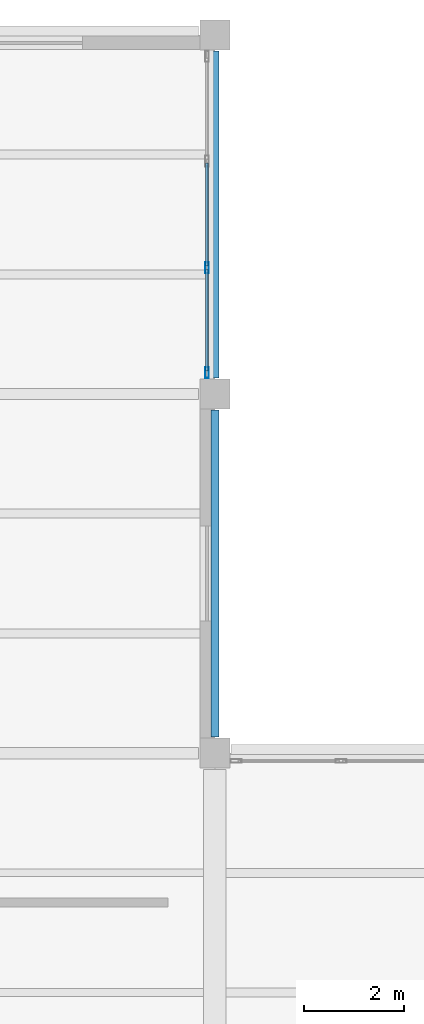
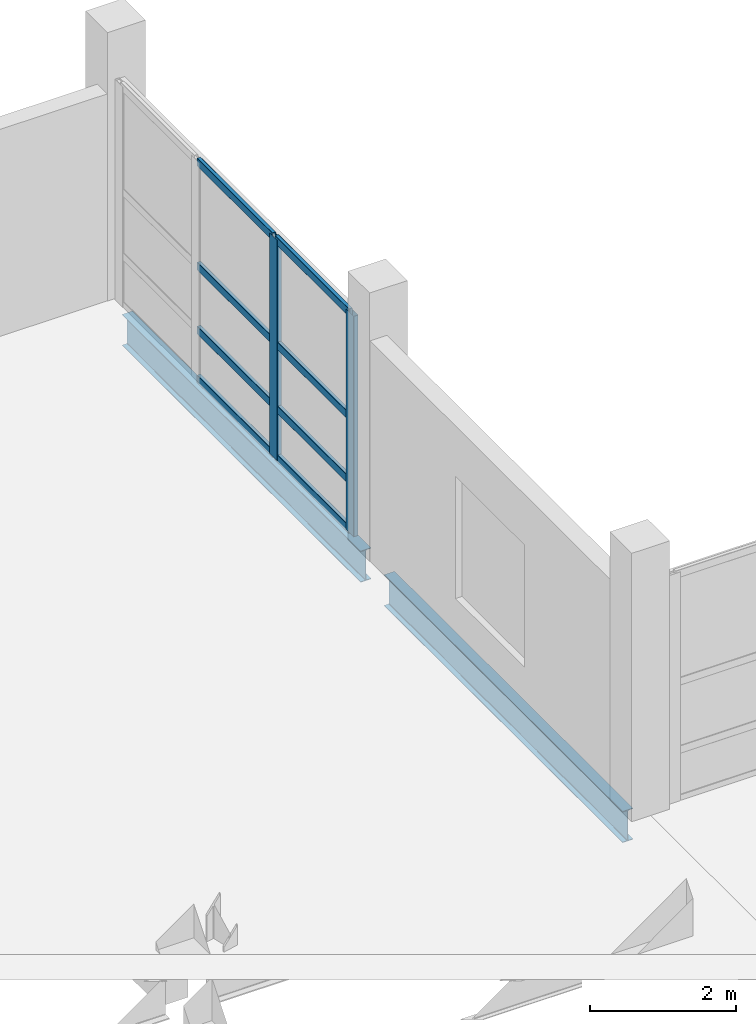
# One storey, part 70 of 123: 10 members, 2 beams, 1 element without a shape of its own.
"""IFC4 building model written with IfcOpenShell, lengths in metres."""

from ifc_helpers import new_model, si_unit, direction, frame, origin, origin_2d, place, context, subcontext, project, spatial, hollow_rectangle, i_section, extrude, material, material_profile, profile_set, type_object, element, aggregate, save


model = new_model("IFC4")

# Units and contexts
model_context = context("Model", 3, precision=1e-05, world=origin(), true_north=direction((0.0, 1.0)))
body_context = subcontext(model_context, "Body", "Model", "MODEL_VIEW")
ifc_project = project(units=[si_unit("LENGTHUNIT", "METRE"), si_unit("AREAUNIT", "SQUARE_METRE"), si_unit("VOLUMEUNIT", "CUBIC_METRE"), si_unit("PLANEANGLEUNIT", "RADIAN"), si_unit("MASSUNIT", "GRAM", prefix="KILO")], contexts=[model_context])

# Site, building, storey
site_placement = place(None, origin())
site = spatial("IfcSite", under=ifc_project, at=site_placement, CompositionType="ELEMENT")
building_placement = place(site_placement, origin())
building = spatial("IfcBuilding", under=site, at=building_placement, Name="Kalmorath City Hall", CompositionType="ELEMENT")
storey_placement = place(building_placement, frame((0.0, 0.0, 10.199951171875)))
storey = spatial("IfcBuildingStorey", under=building, at=storey_placement, Name="L02", CompositionType="ELEMENT", Elevation=10.199951171875)

# Curtain wall, members
ifc_material_1 = material(Name="Anodised aluminium and laminated glass", Category="aluminium")
curtain_wall_type = type_object("IfcCurtainWallType", Name="Unitised hurricane curtain wall 6420x3696 M1850", PredefinedType="NOTDEFINED", material=ifc_material_1)
curtain_wall_placement = place(storey_placement, origin())
curtain_wall = element("IfcCurtainWall", 1, at=curtain_wall_placement, inside=storey, type_object=curtain_wall_type, Name="L02 curtain wall CW-64X37M18 #113", PredefinedType="NOTDEFINED")
ifc_material_2 = material(Name="Anodised aluminium framing", Category="aluminium")
ifc_material_profile_1 = material_profile(ifc_material_2, hollow_rectangle(XDim=0.06005859375, YDim=0.1298828125, WallThickness=0.00341796875, InnerFilletRadius=0.00341796875, OuterFilletRadius=0.007080078125, at=origin_2d()), Name="ALU-TRN-130X60X3.5")
ifc_profile_set_1 = profile_set([ifc_material_profile_1], Name="Anodised aluminium framing")
member_type_1 = type_object("IfcMemberType", Name="Curtain-wall courtyard transom 130x60", PredefinedType="USERDEFINED", material=ifc_profile_set_1)
member_1_placement = place(storey_placement, frame((129.43994140625, 112.632568359375, 0.030029296875), z_axis=(0.0, -1.0, 0.0), x_axis=(1.0, 0.0, 0.0)))
member_1 = element("IfcMember", 2, at=member_1_placement, type_object=member_type_1, Name="CW-64X37M18 transom 2.1", ObjectType="TRANSOM", PredefinedType="USERDEFINED", context=body_context, shape_type="SweptSolid", body=[
    extrude(hollow_rectangle(XDim=0.06005859375, YDim=0.1298828125, WallThickness=0.00341796875, InnerFilletRadius=0.00341796875, OuterFilletRadius=0.007080078125, at=origin_2d()), origin(), (0.0, 0.0, 1.0), 2.065185546875),
])
member_2_placement = place(storey_placement, frame((129.43994140625, 112.632568359375, 0.85009765625), z_axis=(0.0, -1.0, 0.0), x_axis=(1.0, 0.0, 0.0)))
member_2 = element("IfcMember", 3, at=member_2_placement, type_object=member_type_1, Name="CW-64X37M18 transom 2.2", ObjectType="TRANSOM", PredefinedType="USERDEFINED", context=body_context, shape_type="SweptSolid", body=[
    extrude(hollow_rectangle(XDim=0.06005859375, YDim=0.1298828125, WallThickness=0.00341796875, InnerFilletRadius=0.00341796875, OuterFilletRadius=0.007080078125, at=origin_2d()), origin(), (0.0, 0.0, 1.0), 2.065185546875),
])
member_3_placement = place(storey_placement, frame((129.43994140625, 112.632568359375, 1.922119140625), z_axis=(0.0, -1.0, 0.0), x_axis=(1.0, 0.0, 0.0)))
member_3 = element("IfcMember", 4, at=member_3_placement, type_object=member_type_1, Name="CW-64X37M18 transom 2.3", ObjectType="TRANSOM", PredefinedType="USERDEFINED", context=body_context, shape_type="SweptSolid", body=[
    extrude(hollow_rectangle(XDim=0.06005859375, YDim=0.1298828125, WallThickness=0.00341796875, InnerFilletRadius=0.00341796875, OuterFilletRadius=0.007080078125, at=origin_2d()), origin(), (0.0, 0.0, 1.0), 2.065185546875),
])
member_4_placement = place(storey_placement, frame((129.43994140625, 112.632568359375, 3.666015625), z_axis=(0.0, -1.0, 0.0), x_axis=(1.0, 0.0, 0.0)))
member_4 = element("IfcMember", 5, at=member_4_placement, type_object=member_type_1, Name="CW-64X37M18 transom 2.4", ObjectType="TRANSOM", PredefinedType="USERDEFINED", context=body_context, shape_type="SweptSolid", body=[
    extrude(hollow_rectangle(XDim=0.06005859375, YDim=0.1298828125, WallThickness=0.00341796875, InnerFilletRadius=0.00341796875, OuterFilletRadius=0.007080078125, at=origin_2d()), origin(), (0.0, 0.0, 1.0), 2.065185546875),
])
member_5_placement = place(storey_placement, frame((129.43994140625, 110.492431640625, 0.030029296875), z_axis=(0.0, -1.0, 0.0), x_axis=(1.0, 0.0, 0.0)))
member_5 = element("IfcMember", 6, at=member_5_placement, type_object=member_type_1, Name="CW-64X37M18 transom 3.1", ObjectType="TRANSOM", PredefinedType="USERDEFINED", context=body_context, shape_type="SweptSolid", body=[
    extrude(hollow_rectangle(XDim=0.06005859375, YDim=0.1298828125, WallThickness=0.00341796875, InnerFilletRadius=0.00341796875, OuterFilletRadius=0.007080078125, at=origin_2d()), origin(), (0.0, 0.0, 1.0), 2.02734375),
])
member_6_placement = place(storey_placement, frame((129.43994140625, 110.492431640625, 0.85009765625), z_axis=(0.0, -1.0, 0.0), x_axis=(1.0, 0.0, 0.0)))
member_6 = element("IfcMember", 7, at=member_6_placement, type_object=member_type_1, Name="CW-64X37M18 transom 3.2", ObjectType="TRANSOM", PredefinedType="USERDEFINED", context=body_context, shape_type="SweptSolid", body=[
    extrude(hollow_rectangle(XDim=0.06005859375, YDim=0.1298828125, WallThickness=0.00341796875, InnerFilletRadius=0.00341796875, OuterFilletRadius=0.007080078125, at=origin_2d()), origin(), (0.0, 0.0, 1.0), 2.02734375),
])
member_7_placement = place(storey_placement, frame((129.43994140625, 110.492431640625, 1.922119140625), z_axis=(0.0, -1.0, 0.0), x_axis=(1.0, 0.0, 0.0)))
member_7 = element("IfcMember", 8, at=member_7_placement, type_object=member_type_1, Name="CW-64X37M18 transom 3.3", ObjectType="TRANSOM", PredefinedType="USERDEFINED", context=body_context, shape_type="SweptSolid", body=[
    extrude(hollow_rectangle(XDim=0.06005859375, YDim=0.1298828125, WallThickness=0.00341796875, InnerFilletRadius=0.00341796875, OuterFilletRadius=0.007080078125, at=origin_2d()), origin(), (0.0, 0.0, 1.0), 2.02734375),
])
member_8_placement = place(storey_placement, frame((129.43994140625, 110.492431640625, 3.666015625), z_axis=(0.0, -1.0, 0.0), x_axis=(1.0, 0.0, 0.0)))
member_8 = element("IfcMember", 9, at=member_8_placement, type_object=member_type_1, Name="CW-64X37M18 transom 3.4", ObjectType="TRANSOM", PredefinedType="USERDEFINED", context=body_context, shape_type="SweptSolid", body=[
    extrude(hollow_rectangle(XDim=0.06005859375, YDim=0.1298828125, WallThickness=0.00341796875, InnerFilletRadius=0.00341796875, OuterFilletRadius=0.007080078125, at=origin_2d()), origin(), (0.0, 0.0, 1.0), 2.02734375),
])
ifc_material_3 = material(Name="Anodised aluminium framing", Category="aluminium")
ifc_material_profile_2 = material_profile(ifc_material_3, hollow_rectangle(XDim=0.074951171875, YDim=0.219970703125, WallThickness=0.00390625, InnerFilletRadius=0.00390625, OuterFilletRadius=0.008056640625, at=origin_2d()), Name="ALU-MUL-220X75X4")
ifc_profile_set_2 = profile_set([ifc_material_profile_2], Name="Anodised aluminium framing")
member_type_2 = type_object("IfcMemberType", Name="Curtain-wall primary mullion 220x75", PredefinedType="MULLION", material=ifc_profile_set_2)
member_9_placement = place(storey_placement, frame((129.43994140625, 110.530029296875, 0.0), z_axis=(0.0, 0.0, 1.0), x_axis=(1.0, 0.0, 0.0)))
member_9 = element("IfcMember", 10, at=member_9_placement, type_object=member_type_2, Name="CW-64X37M18 mullion 3", PredefinedType="MULLION", context=body_context, shape_type="SweptSolid", body=[
    extrude(hollow_rectangle(XDim=0.074951171875, YDim=0.219970703125, WallThickness=0.00390625, InnerFilletRadius=0.00390625, OuterFilletRadius=0.008056640625, at=origin_2d()), origin(), (0.0, 0.0, 1.0), 3.696044921875),
])
member_10_placement = place(storey_placement, frame((129.43994140625, 108.427490234375, 0.0), z_axis=(0.0, 0.0, 1.0), x_axis=(1.0, 0.0, 0.0)))
member_10 = element("IfcMember", 11, at=member_10_placement, type_object=member_type_2, Name="CW-64X37M18 mullion 4", PredefinedType="MULLION", context=body_context, shape_type="SweptSolid", body=[
    extrude(hollow_rectangle(XDim=0.074951171875, YDim=0.219970703125, WallThickness=0.00390625, InnerFilletRadius=0.00390625, OuterFilletRadius=0.008056640625, at=origin_2d()), origin(), (0.0, 0.0, 1.0), 3.696044921875),
])
aggregate(curtain_wall, [member_9, member_10, member_1, member_2, member_3, member_4, member_5, member_6, member_7, member_8])

# Beams
ifc_material_4 = material(Name="Steel ASTM A992 Grade 50", Category="steel")
ifc_material_profile_3 = material_profile(ifc_material_4, i_section(OverallWidth=0.1650390625, OverallDepth=0.52490234375, WebThickness=0.0087890625, FlangeThickness=0.011474609375, FilletRadius=0.014892578125, at=origin_2d()), Name="W21X44")
ifc_profile_set_3 = profile_set([ifc_material_profile_3], Name="Steel ASTM A992 Grade 50")
beam_type = type_object("IfcBeamType", Name="Steel spandrel beam W21X44", PredefinedType="SPANDREL", material=ifc_profile_set_3)
for number, where, z_axis, x_axis, name in (
    (12, (129.60009765625, 101.125, -0.54638671875), (0.0, 1.0, 0.0), (-1.0, 0.0, 0.0), "L02 girder SB4 Y19/15-16"),
    (13, (129.60009765625, 108.324951171875, -0.54638671875), (0.0, 1.0, 0.0), (-1.0, 0.0, 0.0), "L02 girder SB4 Y19/16-17"),
):
    element("IfcBeam", number, at=place(storey_placement, frame(where, z_axis=z_axis, x_axis=x_axis)), inside=storey, type_object=beam_type, Name=name, PredefinedType="SPANDREL", context=body_context, shape_type="SweptSolid", body=[
        extrude(i_section(OverallWidth=0.1650390625, OverallDepth=0.52490234375, WebThickness=0.0087890625, FlangeThickness=0.011474609375, FilletRadius=0.014892578125, at=origin_2d()), origin(), (0.0, 0.0, 1.0), 6.550048828125),
    ])

save(model, "model.ifc")
